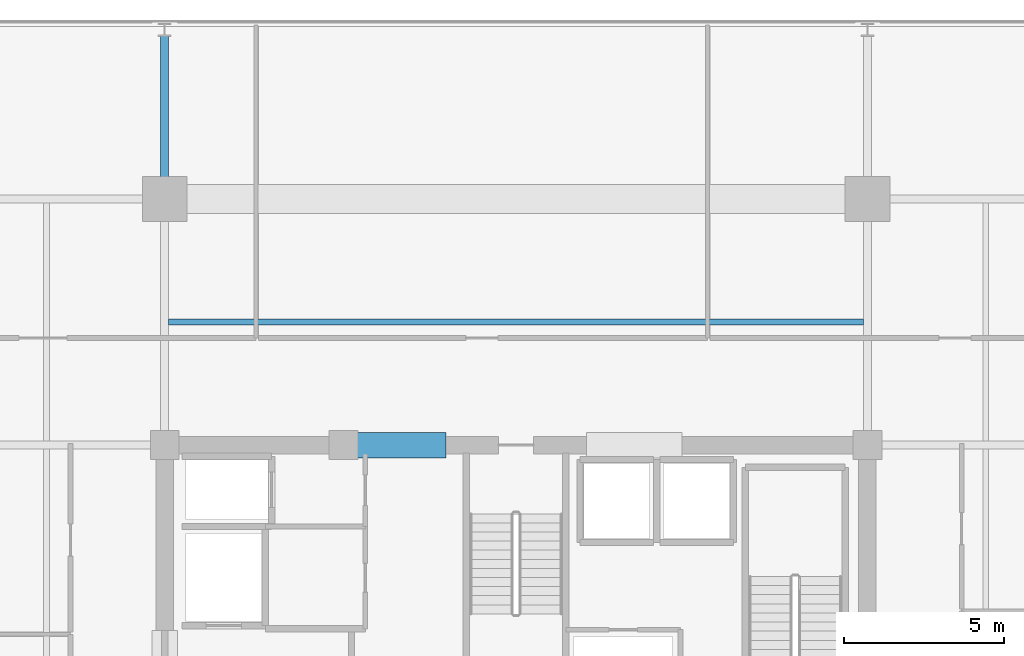
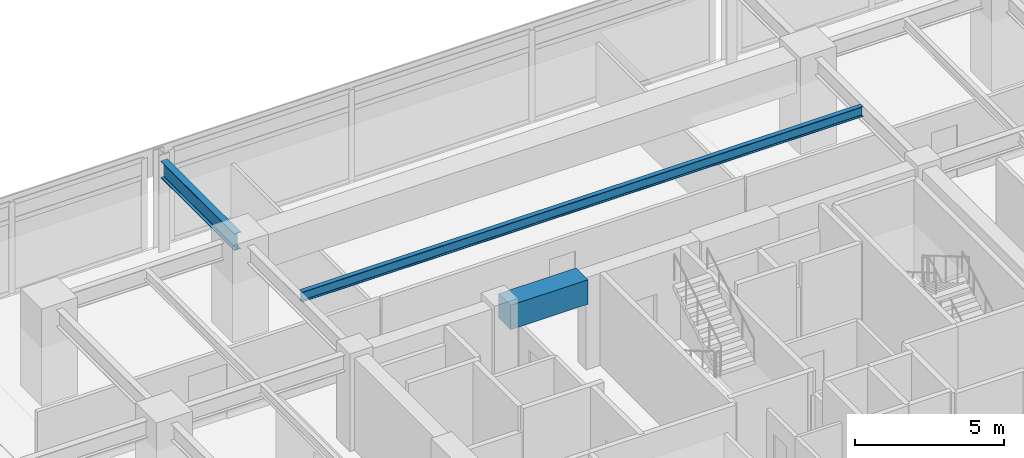
# One storey, part 7 of 22: 3 beams.
"""IFC4 building model written with IfcOpenShell, lengths in metres."""

from ifc_helpers import new_model, si_unit, direction, frame, origin, origin_2d, place, context, subcontext, project, spatial, rectangle, i_section, extrude, material, material_profile, profile_set, type_object, element, save


model = new_model("IFC4")

# Units and contexts
model_context = context("Model", 3, precision=1e-05, world=origin(), true_north=direction((0.0, 1.0)))
body_context = subcontext(model_context, "Body", "Model", "MODEL_VIEW")
ifc_project = project(units=[si_unit("LENGTHUNIT", "METRE"), si_unit("AREAUNIT", "SQUARE_METRE"), si_unit("VOLUMEUNIT", "CUBIC_METRE"), si_unit("PLANEANGLEUNIT", "RADIAN"), si_unit("MASSUNIT", "GRAM", prefix="KILO")], contexts=[model_context])

# Site, building, storey
site_placement = place(None, origin())
site = spatial("IfcSite", under=ifc_project, at=site_placement, CompositionType="ELEMENT")
building_placement = place(site_placement, origin())
building = spatial("IfcBuilding", under=site, at=building_placement, Name="Kovane Verandah Tower", CompositionType="ELEMENT")
storey_placement = place(building_placement, frame((0.0, 0.0, 225.199951171875)))
storey = spatial("IfcBuildingStorey", under=building, at=storey_placement, Name="L52", CompositionType="ELEMENT", Elevation=225.199951171875)

# Beams
ifc_material_1 = material(Name="Concrete C60/75", Category="concrete")
ifc_material_profile_1 = material_profile(ifc_material_1, rectangle(XDim=0.800048828125, YDim=1.0, at=origin_2d()), Name="RCB800x1000")
ifc_profile_set_1 = profile_set([ifc_material_profile_1], Name="Concrete C60/75")
beam_type_1 = type_object("IfcBeamType", Name="BM-LINTEL-800x1000", PredefinedType="LINTEL", material=ifc_profile_set_1)
beam_1_placement = place(storey_placement, frame((34.800048828125, 36.5, 3.275146484375), z_axis=(1.0, 0.0, 0.0), x_axis=(0.0, 1.0, 0.0)))
element("IfcBeam", 1, at=beam_1_placement, inside=storey, type_object=beam_type_1, Name="L52 Core Coupling Lintel CL-N1", PredefinedType="LINTEL", context=body_context, shape_type="SweptSolid", body=[
    extrude(rectangle(XDim=0.800048828125, YDim=1.0, at=origin_2d()), origin(), (0.0, 0.0, 1.0), 3.0),
])
ifc_material_2 = material(Name="Steel S355", Category="steel")
ifc_material_profile_2 = material_profile(ifc_material_2, i_section(OverallWidth=0.255859375, OverallDepth=0.69287109375, WebThickness=0.014404296875, FlangeThickness=0.023681640625, FilletRadius=0.01513671875, at=origin_2d()), Name="UB686x254x170")
ifc_profile_set_2 = profile_set([ifc_material_profile_2], Name="Steel S355")
beam_type_2 = type_object("IfcBeamType", Name="BM-UB686x170", PredefinedType="BEAM", material=ifc_profile_set_2)
beam_2_placement = place(storey_placement, frame((29.0, 44.3798828125, 3.41357421875), z_axis=(0.0, 1.0, 0.0), x_axis=(-1.0, 0.0, 0.0)))
element("IfcBeam", 2, at=beam_2_placement, inside=storey, type_object=beam_type_2, Name="L52 Primary Tower Girder G-VN1", PredefinedType="BEAM", context=body_context, shape_type="SweptSolid", body=[
    extrude(i_section(OverallWidth=0.255859375, OverallDepth=0.69287109375, WebThickness=0.014404296875, FlangeThickness=0.023681640625, FilletRadius=0.01513671875, at=origin_2d()), origin(), (0.0, 0.0, 1.0), 4.940185546875),
])
ifc_material_profile_3 = material_profile(ifc_material_2, i_section(OverallWidth=0.179443359375, OverallDepth=0.412841796875, WebThickness=0.009521484375, FlangeThickness=0.01611328125, FilletRadius=0.01025390625, at=origin_2d()), Name="UB406x178x74")
ifc_profile_set_3 = profile_set([ifc_material_profile_3], Name="Steel S355")
beam_type_3 = type_object("IfcBeamType", Name="JST-UB406x74", PredefinedType="JOIST", material=ifc_profile_set_3)
beam_3_placement = place(storey_placement, frame((29.1259765625, 40.35009765625, 3.568603515625), z_axis=(1.0, 0.0, 0.0), x_axis=(0.0, 1.0, 0.0)))
element("IfcBeam", 3, at=beam_3_placement, inside=storey, type_object=beam_type_3, Name="L52 Secondary Composite Joist J-N1", PredefinedType="JOIST", context=body_context, shape_type="SweptSolid", body=[
    extrude(i_section(OverallWidth=0.179443359375, OverallDepth=0.412841796875, WebThickness=0.009521484375, FlangeThickness=0.01611328125, FilletRadius=0.01025390625, at=origin_2d()), origin(), (0.0, 0.0, 1.0), 21.748046875),
])

save(model, "model.ifc")
